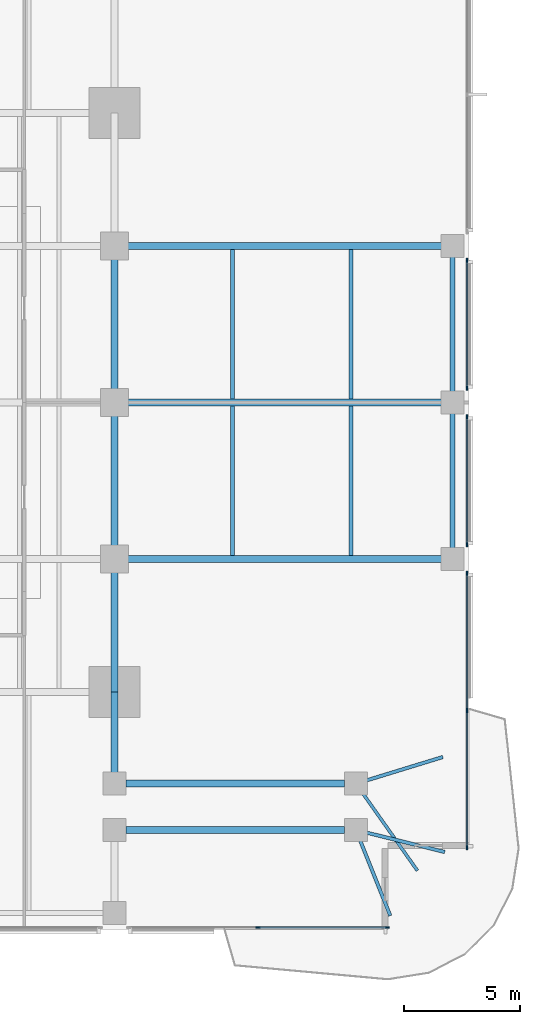
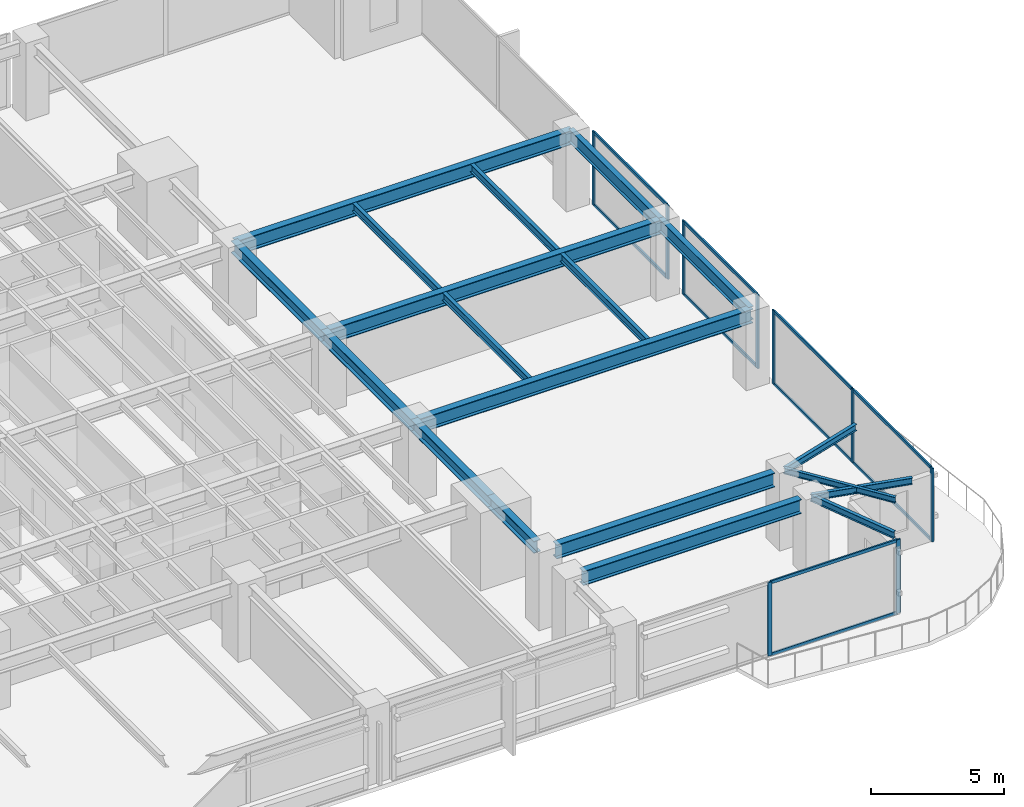
# One storey, part 4 of 15: 19 beams, 19 members, 4 elements without a shape of their own.
"""IFC4 building model written with IfcOpenShell, lengths in metres."""

from ifc_helpers import new_model, si_unit, direction, frame, origin, origin_2d, place, context, subcontext, project, spatial, rectangle, i_section, extrude, material, layer, layer_set, material_profile, profile_set, type_object, element, aggregate, save


model = new_model("IFC4")

# Units and contexts
model_context = context("Model", 3, precision=1e-05, world=origin(), true_north=direction((0.0, 1.0)))
body_context = subcontext(model_context, "Body", "Model", "MODEL_VIEW")
ifc_project = project(units=[si_unit("LENGTHUNIT", "METRE"), si_unit("AREAUNIT", "SQUARE_METRE"), si_unit("VOLUMEUNIT", "CUBIC_METRE"), si_unit("PLANEANGLEUNIT", "RADIAN"), si_unit("MASSUNIT", "GRAM", prefix="KILO")], contexts=[model_context])

# Site, building, storey
site_placement = place(None, origin())
site = spatial("IfcSite", under=ifc_project, at=site_placement, CompositionType="ELEMENT")
building_placement = place(site_placement, origin())
building = spatial("IfcBuilding", under=site, at=building_placement, Name="Kinhvarn Gate Tower", CompositionType="ELEMENT")
storey_placement = place(building_placement, frame((0.0, 0.0, 36.25)))
storey = spatial("IfcBuildingStorey", under=building, at=storey_placement, Name="L08", CompositionType="ELEMENT", Elevation=36.25)

# Curtain wall, members
ifc_material_1 = material(Name="Anodised aluminium AW-6063", Category="aluminium")
ifc_layer = layer(ifc_material_1, 0.179931640625)
ifc_layer_set = layer_set([ifc_layer], Name="Anodised aluminium AW-6063")
curtain_wall_type = type_object("IfcCurtainWallType", Name="CW-SYS-2", PredefinedType="NOTDEFINED", material=ifc_layer_set)
curtain_wall_1_placement = place(storey_placement, origin())
curtain_wall_1 = element("IfcCurtainWall", 1, at=curtain_wall_1_placement, inside=storey, type_object=curtain_wall_type, Name="Curtain Wall CW2 (L08)", PredefinedType="NOTDEFINED")
ifc_material_profile_1 = material_profile(ifc_material_1, rectangle(XDim=0.070068359375, YDim=0.179931640625, at=origin_2d()), Name="ALU 70x180")
ifc_profile_set_1 = profile_set([ifc_material_profile_1], Name="Anodised aluminium AW-6063")
member_type_1 = type_object("IfcMemberType", Name="CW-MUL-180", PredefinedType="MULLION", material=ifc_profile_set_1)
member_1_placement = place(storey_placement, frame((44.389892578125, 2.590087890625, 0.0), z_axis=(0.0, 0.0, 1.0), x_axis=(0.0, 1.0, 0.0)))
member_1 = element("IfcMember", 2, at=member_1_placement, type_object=member_type_1, Name="CW2 mullion 2", PredefinedType="MULLION", context=body_context, shape_type="SweptSolid", body=[
    extrude(rectangle(XDim=0.070068359375, YDim=0.179931640625, at=origin_2d()), origin(), (0.0, 0.0, 1.0), 3.3701171875),
])
member_2_placement = place(storey_placement, frame((49.965087890625, 2.590087890625, 0.0), z_axis=(0.0, 0.0, 1.0), x_axis=(0.0, 1.0, 0.0)))
member_2 = element("IfcMember", 3, at=member_2_placement, type_object=member_type_1, Name="CW2 mullion 3", PredefinedType="MULLION", context=body_context, shape_type="SweptSolid", body=[
    extrude(rectangle(XDim=0.070068359375, YDim=0.179931640625, at=origin_2d()), origin(), (0.0, 0.0, 1.0), 3.3701171875),
])

curtain_wall_2_placement = place(storey_placement, origin())
curtain_wall_2 = element("IfcCurtainWall", 4, at=curtain_wall_2_placement, inside=storey, type_object=curtain_wall_type, Name="Curtain Wall CW2 (L08)", PredefinedType="NOTDEFINED")
member_3_placement = place(storey_placement, frame((53.409912109375, 6.034912109375, 0.0), z_axis=(0.0, 0.0, 1.0), x_axis=(-1.0, 0.0, 0.0)))
member_3 = element("IfcMember", 5, at=member_3_placement, type_object=member_type_1, Name="CW2 mullion 1", PredefinedType="MULLION", context=body_context, shape_type="SweptSolid", body=[
    extrude(rectangle(XDim=0.070068359375, YDim=0.179931640625, at=origin_2d()), origin(), (0.0, 0.0, 1.0), 3.3701171875),
])
member_4_placement = place(storey_placement, frame((53.409912109375, 11.9599609375, 0.0), z_axis=(0.0, 0.0, 1.0), x_axis=(-1.0, 0.0, 0.0)))
member_4 = element("IfcMember", 6, at=member_4_placement, type_object=member_type_1, Name="CW2 mullion 2", PredefinedType="MULLION", context=body_context, shape_type="SweptSolid", body=[
    extrude(rectangle(XDim=0.070068359375, YDim=0.179931640625, at=origin_2d()), origin(), (0.0, 0.0, 1.0), 3.3701171875),
])
member_5_placement = place(storey_placement, frame((53.409912109375, 17.885009765625, 0.0), z_axis=(0.0, 0.0, 1.0), x_axis=(-1.0, 0.0, 0.0)))
member_5 = element("IfcMember", 7, at=member_5_placement, type_object=member_type_1, Name="CW2 mullion 3", PredefinedType="MULLION", context=body_context, shape_type="SweptSolid", body=[
    extrude(rectangle(XDim=0.070068359375, YDim=0.179931640625, at=origin_2d()), origin(), (0.0, 0.0, 1.0), 3.3701171875),
])

curtain_wall_3_placement = place(storey_placement, origin())
curtain_wall_3 = element("IfcCurtainWall", 8, at=curtain_wall_3_placement, inside=storey, type_object=curtain_wall_type, Name="Curtain Wall CW2 (L08)", PredefinedType="NOTDEFINED")
member_6_placement = place(storey_placement, frame((53.409912109375, 19.114990234375, 0.0), z_axis=(0.0, 0.0, 1.0), x_axis=(-1.0, 0.0, 0.0)))
member_6 = element("IfcMember", 9, at=member_6_placement, type_object=member_type_1, Name="CW2 mullion 1", PredefinedType="MULLION", context=body_context, shape_type="SweptSolid", body=[
    extrude(rectangle(XDim=0.070068359375, YDim=0.179931640625, at=origin_2d()), origin(), (0.0, 0.0, 1.0), 3.3701171875),
])
member_7_placement = place(storey_placement, frame((53.409912109375, 24.635009765625, 0.0), z_axis=(0.0, 0.0, 1.0), x_axis=(-1.0, 0.0, 0.0)))
member_7 = element("IfcMember", 10, at=member_7_placement, type_object=member_type_1, Name="CW2 mullion 2", PredefinedType="MULLION", context=body_context, shape_type="SweptSolid", body=[
    extrude(rectangle(XDim=0.070068359375, YDim=0.179931640625, at=origin_2d()), origin(), (0.0, 0.0, 1.0), 3.3701171875),
])

curtain_wall_4_placement = place(storey_placement, origin())
curtain_wall_4 = element("IfcCurtainWall", 11, at=curtain_wall_4_placement, inside=storey, type_object=curtain_wall_type, Name="Curtain Wall CW2 (L08)", PredefinedType="NOTDEFINED")
member_8_placement = place(storey_placement, frame((53.409912109375, 25.864990234375, 0.0), z_axis=(0.0, 0.0, 1.0), x_axis=(-1.0, 0.0, 0.0)))
member_8 = element("IfcMember", 12, at=member_8_placement, type_object=member_type_1, Name="CW2 mullion 1", PredefinedType="MULLION", context=body_context, shape_type="SweptSolid", body=[
    extrude(rectangle(XDim=0.070068359375, YDim=0.179931640625, at=origin_2d()), origin(), (0.0, 0.0, 1.0), 3.3701171875),
])
member_9_placement = place(storey_placement, frame((53.409912109375, 31.385009765625, 0.0), z_axis=(0.0, 0.0, 1.0), x_axis=(-1.0, 0.0, 0.0)))
member_9 = element("IfcMember", 13, at=member_9_placement, type_object=member_type_1, Name="CW2 mullion 2", PredefinedType="MULLION", context=body_context, shape_type="SweptSolid", body=[
    extrude(rectangle(XDim=0.070068359375, YDim=0.179931640625, at=origin_2d()), origin(), (0.0, 0.0, 1.0), 3.3701171875),
])

# Member
ifc_material_profile_2 = material_profile(ifc_material_1, rectangle(XDim=0.070068359375, YDim=0.139892578125, at=origin_2d()), Name="ALU 70x140")
ifc_profile_set_2 = profile_set([ifc_material_profile_2], Name="Anodised aluminium AW-6063")
member_type_2 = type_object("IfcMemberType", Name="CW-TRN-140", PredefinedType="USERDEFINED", material=ifc_profile_set_2)
member_10_placement = place(storey_placement, frame((44.425048828125, 2.590087890625, 0.034912109375), z_axis=(1.0, 0.0, 0.0), x_axis=(0.0, 1.0, 0.0)))
member_10 = element("IfcMember", 14, at=member_10_placement, type_object=member_type_2, Name="CW2 transom 2.1", ObjectType="TRANSOM", PredefinedType="USERDEFINED", context=body_context, shape_type="SweptSolid", body=[
    extrude(rectangle(XDim=0.070068359375, YDim=0.139892578125, at=origin_2d()), origin(), (0.0, 0.0, 1.0), 5.5048828125),
])

member_11_placement = place(storey_placement, frame((44.425048828125, 2.590087890625, 3.3349609375), z_axis=(1.0, 0.0, 0.0), x_axis=(0.0, 1.0, 0.0)))
member_11 = element("IfcMember", 15, at=member_11_placement, type_object=member_type_2, Name="CW2 transom 2.2", ObjectType="TRANSOM", PredefinedType="USERDEFINED", context=body_context, shape_type="SweptSolid", body=[
    extrude(rectangle(XDim=0.070068359375, YDim=0.139892578125, at=origin_2d()), origin(), (0.0, 0.0, 1.0), 5.5048828125),
])

aggregate(curtain_wall_1, [member_1, member_2, member_10, member_11])

member_12_placement = place(storey_placement, frame((53.409912109375, 6.070068359375, 0.034912109375), z_axis=(0.0, 1.0, 0.0), x_axis=(-1.0, 0.0, 0.0)))
member_12 = element("IfcMember", 16, at=member_12_placement, type_object=member_type_2, Name="CW2 transom 1.1", ObjectType="TRANSOM", PredefinedType="USERDEFINED", context=body_context, shape_type="SweptSolid", body=[
    extrude(rectangle(XDim=0.070068359375, YDim=0.139892578125, at=origin_2d()), origin(), (0.0, 0.0, 1.0), 5.85498046875),
])

member_13_placement = place(storey_placement, frame((53.409912109375, 6.070068359375, 3.3349609375), z_axis=(0.0, 1.0, 0.0), x_axis=(-1.0, 0.0, 0.0)))
member_13 = element("IfcMember", 17, at=member_13_placement, type_object=member_type_2, Name="CW2 transom 1.2", ObjectType="TRANSOM", PredefinedType="USERDEFINED", context=body_context, shape_type="SweptSolid", body=[
    extrude(rectangle(XDim=0.070068359375, YDim=0.139892578125, at=origin_2d()), origin(), (0.0, 0.0, 1.0), 5.85498046875),
])

member_14_placement = place(storey_placement, frame((53.409912109375, 11.9951171875, 0.034912109375), z_axis=(0.0, 1.0, 0.0), x_axis=(-1.0, 0.0, 0.0)))
member_14 = element("IfcMember", 18, at=member_14_placement, type_object=member_type_2, Name="CW2 transom 2.1", ObjectType="TRANSOM", PredefinedType="USERDEFINED", context=body_context, shape_type="SweptSolid", body=[
    extrude(rectangle(XDim=0.070068359375, YDim=0.139892578125, at=origin_2d()), origin(), (0.0, 0.0, 1.0), 5.85498046875),
])

member_15_placement = place(storey_placement, frame((53.409912109375, 11.9951171875, 3.3349609375), z_axis=(0.0, 1.0, 0.0), x_axis=(-1.0, 0.0, 0.0)))
member_15 = element("IfcMember", 19, at=member_15_placement, type_object=member_type_2, Name="CW2 transom 2.2", ObjectType="TRANSOM", PredefinedType="USERDEFINED", context=body_context, shape_type="SweptSolid", body=[
    extrude(rectangle(XDim=0.070068359375, YDim=0.139892578125, at=origin_2d()), origin(), (0.0, 0.0, 1.0), 5.85498046875),
])

aggregate(curtain_wall_2, [member_3, member_4, member_5, member_12, member_13, member_14, member_15])

member_16_placement = place(storey_placement, frame((53.409912109375, 19.14990234375, 0.034912109375), z_axis=(0.0, 1.0, 0.0), x_axis=(-1.0, 0.0, 0.0)))
member_16 = element("IfcMember", 20, at=member_16_placement, type_object=member_type_2, Name="CW2 transom 1.1", ObjectType="TRANSOM", PredefinedType="USERDEFINED", context=body_context, shape_type="SweptSolid", body=[
    extrude(rectangle(XDim=0.070068359375, YDim=0.139892578125, at=origin_2d()), origin(), (0.0, 0.0, 1.0), 5.4501953125),
])

member_17_placement = place(storey_placement, frame((53.409912109375, 19.14990234375, 3.3349609375), z_axis=(0.0, 1.0, 0.0), x_axis=(-1.0, 0.0, 0.0)))
member_17 = element("IfcMember", 21, at=member_17_placement, type_object=member_type_2, Name="CW2 transom 1.2", ObjectType="TRANSOM", PredefinedType="USERDEFINED", context=body_context, shape_type="SweptSolid", body=[
    extrude(rectangle(XDim=0.070068359375, YDim=0.139892578125, at=origin_2d()), origin(), (0.0, 0.0, 1.0), 5.4501953125),
])

aggregate(curtain_wall_3, [member_6, member_7, member_16, member_17])

member_18_placement = place(storey_placement, frame((53.409912109375, 25.89990234375, 0.034912109375), z_axis=(0.0, 1.0, 0.0), x_axis=(-1.0, 0.0, 0.0)))
member_18 = element("IfcMember", 22, at=member_18_placement, type_object=member_type_2, Name="CW2 transom 1.1", ObjectType="TRANSOM", PredefinedType="USERDEFINED", context=body_context, shape_type="SweptSolid", body=[
    extrude(rectangle(XDim=0.070068359375, YDim=0.139892578125, at=origin_2d()), origin(), (0.0, 0.0, 1.0), 5.4501953125),
])

member_19_placement = place(storey_placement, frame((53.409912109375, 25.89990234375, 3.3349609375), z_axis=(0.0, 1.0, 0.0), x_axis=(-1.0, 0.0, 0.0)))
member_19 = element("IfcMember", 23, at=member_19_placement, type_object=member_type_2, Name="CW2 transom 1.2", ObjectType="TRANSOM", PredefinedType="USERDEFINED", context=body_context, shape_type="SweptSolid", body=[
    extrude(rectangle(XDim=0.070068359375, YDim=0.139892578125, at=origin_2d()), origin(), (0.0, 0.0, 1.0), 5.4501953125),
])

aggregate(curtain_wall_4, [member_8, member_9, member_18, member_19])

# Beams
ifc_material_2 = material(Name="Steel S355", Category="steel")
ifc_material_profile_3 = material_profile(ifc_material_2, i_section(OverallWidth=0.300048828125, OverallDepth=0.550048828125, WebThickness=0.014892578125, FlangeThickness=0.029052734375, at=origin_2d()), Name="HEB 550")
ifc_profile_set_3 = profile_set([ifc_material_profile_3], Name="Steel S355")
beam_type_1 = type_object("IfcBeamType", Name="STL-HEB550", PredefinedType="BEAM", material=ifc_profile_set_3)
beam_1_placement = place(storey_placement, frame((38.199951171875, 9.284912109375, 3.094970703125), z_axis=(0.0, 1.0, 0.0), x_axis=(-1.0, 0.0, 0.0)))
element("IfcBeam", 24, at=beam_1_placement, inside=storey, type_object=beam_type_1, Name="Floor Beam PG-15 (L08 MCE-S-A2)", PredefinedType="BEAM", context=body_context, shape_type="SweptSolid", body=[
    extrude(i_section(OverallWidth=0.300048828125, OverallDepth=0.550048828125, WebThickness=0.014892578125, FlangeThickness=0.029052734375, at=origin_2d()), origin(), (0.0, 0.0, 1.0), 3.465087890625),
])
beam_2_placement = place(storey_placement, frame((38.199951171875, 12.75, 3.094970703125), z_axis=(0.0, 1.0, 0.0), x_axis=(-1.0, 0.0, 0.0)))
element("IfcBeam", 25, at=beam_2_placement, inside=storey, type_object=beam_type_1, Name="Floor Beam PG-15 (L08 MG-E-12)", PredefinedType="BEAM", context=body_context, shape_type="SweptSolid", body=[
    extrude(i_section(OverallWidth=0.300048828125, OverallDepth=0.550048828125, WebThickness=0.014892578125, FlangeThickness=0.029052734375, at=origin_2d()), origin(), (0.0, 0.0, 1.0), 5.75),
])
for number, where, z_axis, x_axis, name in (
    (26, (38.199951171875, 18.5, 3.094970703125), (0.0, 1.0, 0.0), (-1.0, 0.0, 0.0), "Floor Beam PG-15 (L08 MG-E-18)"),
    (27, (38.199951171875, 25.25, 3.094970703125), (0.0, 1.0, 0.0), (-1.0, 0.0, 0.0), "Floor Beam PG-15 (L08 MG-E-25)"),
):
    element("IfcBeam", number, at=place(storey_placement, frame(where, z_axis=z_axis, x_axis=x_axis)), inside=storey, type_object=beam_type_1, Name=name, PredefinedType="BEAM", context=body_context, shape_type="SweptSolid", body=[
        extrude(i_section(OverallWidth=0.300048828125, OverallDepth=0.550048828125, WebThickness=0.014892578125, FlangeThickness=0.029052734375, at=origin_2d()), origin(), (0.0, 0.0, 1.0), 6.75),
    ])
ifc_material_profile_4 = material_profile(ifc_material_2, i_section(OverallWidth=0.300048828125, OverallDepth=0.64990234375, WebThickness=0.01611328125, FlangeThickness=0.031005859375, at=origin_2d()), Name="HEB 650")
ifc_profile_set_4 = profile_set([ifc_material_profile_4], Name="Steel S355")
beam_type_2 = type_object("IfcBeamType", Name="STL-HEB650", PredefinedType="BEAM", material=ifc_profile_set_4)
for number, where, z_axis, x_axis, name in (
    (28, (38.68505859375, 8.800048828125, 3.044921875), (1.0, 0.0, 0.0), (0.0, 1.0, 0.0), "Floor Beam PG-17 (L08 SP-SE1B)"),
    (29, (38.68505859375, 6.800048828125, 3.044921875), (1.0, 0.0, 0.0), (0.0, 1.0, 0.0), "Floor Beam PG-17 (L08 SP-SE1A)"),
):
    element("IfcBeam", number, at=place(storey_placement, frame(where, z_axis=z_axis, x_axis=x_axis)), inside=storey, type_object=beam_type_2, Name=name, PredefinedType="BEAM", context=body_context, shape_type="SweptSolid", body=[
        extrude(i_section(OverallWidth=0.300048828125, OverallDepth=0.64990234375, WebThickness=0.01611328125, FlangeThickness=0.031005859375, at=origin_2d()), origin(), (0.0, 0.0, 1.0), 9.449951171875),
    ])
for number, where, z_axis, x_axis, name in (
    (30, (38.199951171875, 18.5, 3.044921875), (1.0, 0.0, 0.0), (0.0, 1.0, 0.0), "Floor Beam PG-17 (L08 EW2-Y18)"),
    (31, (38.199951171875, 25.25, 3.044921875), (1.0, 0.0, 0.0), (0.0, 1.0, 0.0), "Floor Beam PG-17 (L08 EW2-Y25)"),
    (32, (38.199951171875, 32.0, 3.044921875), (1.0, 0.0, 0.0), (0.0, 1.0, 0.0), "Floor Beam PG-17 (L08 EW2-Y32)"),
):
    element("IfcBeam", number, at=place(storey_placement, frame(where, z_axis=z_axis, x_axis=x_axis)), inside=storey, type_object=beam_type_2, Name=name, PredefinedType="BEAM", context=body_context, shape_type="SweptSolid", body=[
        extrude(i_section(OverallWidth=0.300048828125, OverallDepth=0.64990234375, WebThickness=0.01611328125, FlangeThickness=0.031005859375, at=origin_2d()), origin(), (0.0, 0.0, 1.0), 14.580078125),
    ])
ifc_material_profile_5 = material_profile(ifc_material_2, i_section(OverallWidth=0.135009765625, OverallDepth=0.27001953125, WebThickness=0.006591796875, FlangeThickness=0.01025390625, at=origin_2d()), Name="IPE 270")
ifc_profile_set_5 = profile_set([ifc_material_profile_5], Name="Steel S355")
beam_type_3 = type_object("IfcBeamType", Name="STL-IPE270", PredefinedType="JOIST", material=ifc_profile_set_5)
beam_3_placement = place(storey_placement, frame((48.6201171875, 8.800048828125, 3.235107421875), z_axis=(0.57709644225, -0.81667600451, 0.0), x_axis=(0.81667600451, 0.57709644225, 0.0)))
element("IfcBeam", 33, at=beam_3_placement, inside=storey, type_object=beam_type_3, Name="Floor Joist SB-01 (L08 BAL-B3-L09)", PredefinedType="JOIST", context=body_context, shape_type="SweptSolid", body=[
    extrude(i_section(OverallWidth=0.135009765625, OverallDepth=0.27001953125, WebThickness=0.006591796875, FlangeThickness=0.01025390625, at=origin_2d()), origin(), (0.0, 0.0, 1.0), 4.591796875),
])
ifc_material_profile_6 = material_profile(ifc_material_2, i_section(OverallWidth=0.14990234375, OverallDepth=0.300048828125, WebThickness=0.007080078125, FlangeThickness=0.0107421875, at=origin_2d()), Name="IPE 300")
ifc_profile_set_6 = profile_set([ifc_material_profile_6], Name="Steel S355")
beam_type_4 = type_object("IfcBeamType", Name="STL-IPE300", PredefinedType="JOIST", material=ifc_profile_set_6)
beam_4_placement = place(storey_placement, frame((48.6201171875, 6.800048828125, 3.219970703125), z_axis=(0.97058851083, -0.240744558911, 0.0), x_axis=(0.240744558911, 0.97058851083, 0.0)))
element("IfcBeam", 34, at=beam_4_placement, inside=storey, type_object=beam_type_4, Name="Floor Joist SB-02 (L08 BAL-B1-L09)", PredefinedType="JOIST", context=body_context, shape_type="SweptSolid", body=[
    extrude(i_section(OverallWidth=0.14990234375, OverallDepth=0.300048828125, WebThickness=0.007080078125, FlangeThickness=0.0107421875, at=origin_2d()), origin(), (0.0, 0.0, 1.0), 3.94580078125),
])
beam_5_placement = place(storey_placement, frame((48.6201171875, 6.800048828125, 3.219970703125), z_axis=(0.371390676354, -0.928476690885, 0.0), x_axis=(0.928476690885, 0.371390676354, 0.0)))
element("IfcBeam", 35, at=beam_5_placement, inside=storey, type_object=beam_type_4, Name="Floor Joist SB-02 (L08 BAL-B2-L09)", PredefinedType="JOIST", context=body_context, shape_type="SweptSolid", body=[
    extrude(i_section(OverallWidth=0.14990234375, OverallDepth=0.300048828125, WebThickness=0.007080078125, FlangeThickness=0.0107421875, at=origin_2d()), origin(), (0.0, 0.0, 1.0), 3.98486328125),
])
beam_6_placement = place(storey_placement, frame((48.6201171875, 8.800048828125, 3.219970703125), z_axis=(0.95606118681, 0.293167199862, 0.0), x_axis=(-0.293167199862, 0.95606118681, 0.0)))
element("IfcBeam", 36, at=beam_6_placement, inside=storey, type_object=beam_type_4, Name="Floor Joist SB-02 (L08 BAL-B5-L09)", PredefinedType="JOIST", context=body_context, shape_type="SweptSolid", body=[
    extrude(i_section(OverallWidth=0.14990234375, OverallDepth=0.300048828125, WebThickness=0.007080078125, FlangeThickness=0.0107421875, at=origin_2d()), origin(), (0.0, 0.0, 1.0), 3.92236328125),
])
ifc_material_profile_7 = material_profile(ifc_material_2, i_section(OverallWidth=0.169921875, OverallDepth=0.360107421875, WebThickness=0.008056640625, FlangeThickness=0.0126953125, at=origin_2d()), Name="IPE 360")
ifc_profile_set_7 = profile_set([ifc_material_profile_7], Name="Steel S355")
beam_type_5 = type_object("IfcBeamType", Name="STL-IPE360", PredefinedType="JOIST", material=ifc_profile_set_7)
for number, where, z_axis, x_axis, name in (
    (37, (43.300048828125, 18.64990234375, 3.18994140625), (0.0, 1.0, 0.0), (-1.0, 0.0, 0.0), "Floor Joist SB-04 (L08 JC-X433-1)"),
    (38, (43.300048828125, 25.39990234375, 3.18994140625), (0.0, 1.0, 0.0), (-1.0, 0.0, 0.0), "Floor Joist SB-04 (L08 JC-X433-2)"),
    (39, (48.409912109375, 18.64990234375, 3.18994140625), (0.0, 1.0, 0.0), (-1.0, 0.0, 0.0), "Floor Joist SB-04 (L08 JC-X484-1)"),
    (40, (48.409912109375, 25.39990234375, 3.18994140625), (0.0, 1.0, 0.0), (-1.0, 0.0, 0.0), "Floor Joist SB-04 (L08 JC-X484-2)"),
):
    element("IfcBeam", number, at=place(storey_placement, frame(where, z_axis=z_axis, x_axis=x_axis)), inside=storey, type_object=beam_type_5, Name=name, PredefinedType="JOIST", context=body_context, shape_type="SweptSolid", body=[
        extrude(i_section(OverallWidth=0.169921875, OverallDepth=0.360107421875, WebThickness=0.008056640625, FlangeThickness=0.0126953125, at=origin_2d()), origin(), (0.0, 0.0, 1.0), 6.4501953125),
    ])
ifc_material_profile_8 = material_profile(ifc_material_2, i_section(OverallWidth=0.219970703125, OverallDepth=0.60009765625, WebThickness=0.011962890625, FlangeThickness=0.01904296875, at=origin_2d()), Name="IPE 600")
ifc_profile_set_8 = profile_set([ifc_material_profile_8], Name="Steel S355")
beam_type_6 = type_object("IfcBeamType", Name="STL-IPE600", PredefinedType="SPANDREL", material=ifc_profile_set_8)
for number, where, z_axis, x_axis, name in (
    (41, (52.780029296875, 18.5, 3.070068359375), (0.0, 1.0, 0.0), (-1.0, 0.0, 0.0), "Floor Spandrel SB-09 (L08 SP-E2)"),
    (42, (52.780029296875, 25.25, 3.070068359375), (0.0, 1.0, 0.0), (-1.0, 0.0, 0.0), "Floor Spandrel SB-09 (L08 SP-E3)"),
):
    element("IfcBeam", number, at=place(storey_placement, frame(where, z_axis=z_axis, x_axis=x_axis)), inside=storey, type_object=beam_type_6, Name=name, PredefinedType="SPANDREL", context=body_context, shape_type="SweptSolid", body=[
        extrude(i_section(OverallWidth=0.219970703125, OverallDepth=0.60009765625, WebThickness=0.011962890625, FlangeThickness=0.01904296875, at=origin_2d()), origin(), (0.0, 0.0, 1.0), 6.75),
    ])

save(model, "model.ifc")
